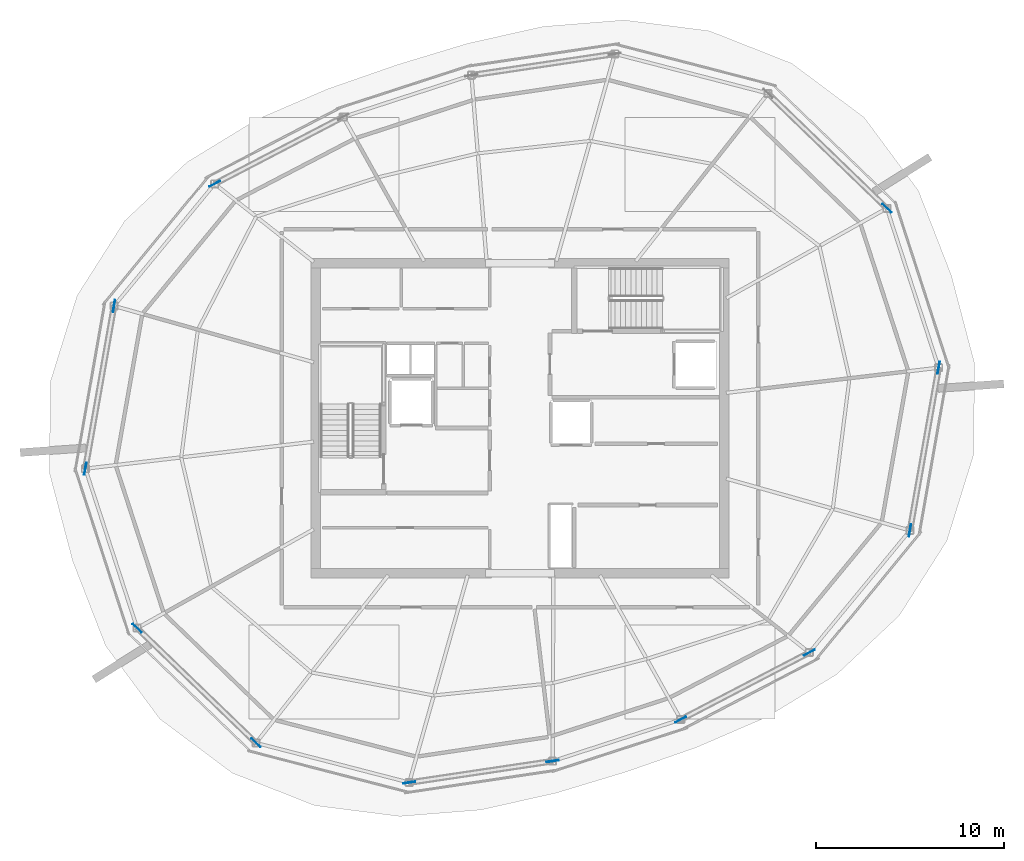
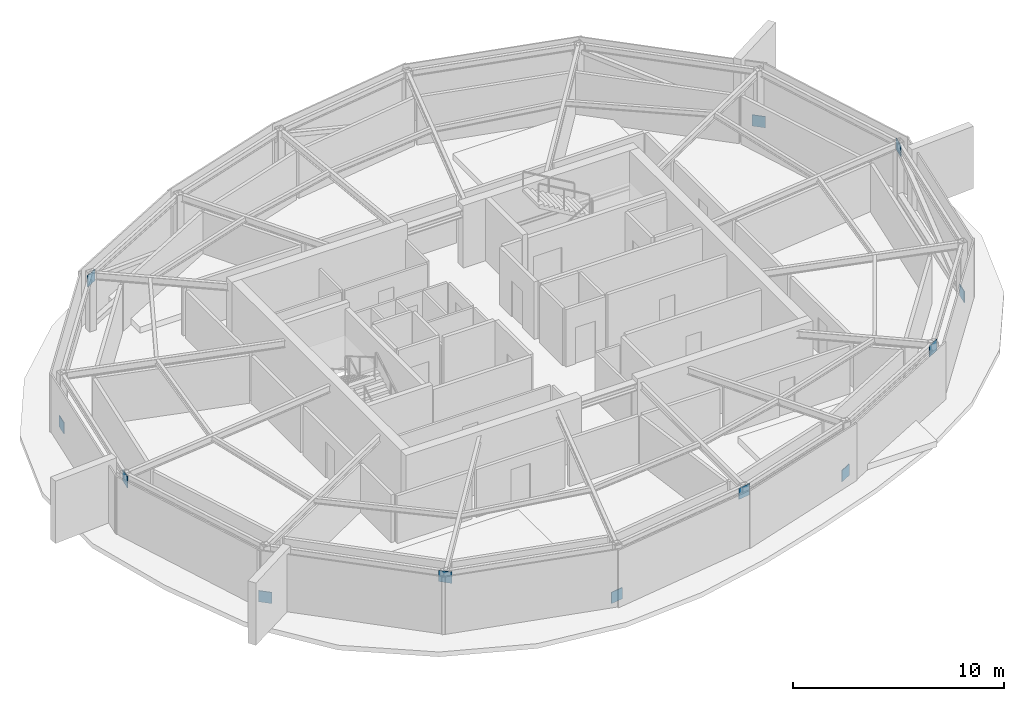
# One storey, part 6 of 10: 12 plates.
"""IFC4 building model written with IfcOpenShell, lengths in metres."""

from ifc_helpers import new_model, si_unit, direction, frame, origin, origin_2d, place, context, subcontext, project, spatial, rectangle, extrude, material, layer, layer_set, type_object, element, save


model = new_model("IFC4")

# Units and contexts
model_context = context("Model", 3, precision=1e-05, world=origin(), true_north=direction((0.0, 1.0)))
body_context = subcontext(model_context, "Body", "Model", "MODEL_VIEW")
ifc_project = project(units=[si_unit("LENGTHUNIT", "METRE"), si_unit("AREAUNIT", "SQUARE_METRE"), si_unit("VOLUMEUNIT", "CUBIC_METRE"), si_unit("PLANEANGLEUNIT", "RADIAN"), si_unit("MASSUNIT", "GRAM", prefix="KILO")], contexts=[model_context])

# Site, building, storey
site_placement = place(None, origin())
site = spatial("IfcSite", under=ifc_project, at=site_placement, CompositionType="ELEMENT")
building_placement = place(site_placement, origin())
building = spatial("IfcBuilding", under=site, at=building_placement, Name="Kazma Halo Residences", CompositionType="ELEMENT")
storey_placement = place(building_placement, frame((0.0, 0.0, 359.60009765625)))
storey = spatial("IfcBuildingStorey", under=building, at=storey_placement, Name="L90", CompositionType="ELEMENT", Elevation=359.60009765625)

# Plates
ifc_material = material(Name="Steel S355", Category="steel")
ifc_layer = layer(ifc_material, 0.0400390625)
ifc_layer_set = layer_set([ifc_layer], Name="Steel S355")
plate_type = type_object("IfcPlateType", Name="PLT-GUSSET-40", PredefinedType="SHEET", material=ifc_layer_set)
for number, where, z_axis, x_axis, name in (
    (1, (67.940673828125, 53.167236328125, -0.045166015625), (0.0, 0.0, 1.0), (-0.719342064482, 0.694656025863, 0.0), "L90 crown brace lower gusset 01"),
    (2, (32.184814453125, 54.467529296875, 2.614990234375), (0.0, 0.0, 1.0), (-0.886949727325, -0.461865977529, 0.0), "L90 crown brace upper gusset 05"),
    (3, (26.830078125, 47.970458984375, -0.045166015625), (0.0, 0.0, 1.0), (-0.173656186938, -0.984806340728, 0.0), "L90 crown brace lower gusset 07"),
    (4, (25.3037109375, 39.313720703125, 2.614990234375), (0.0, 0.0, 1.0), (-0.173656186938, -0.984806340728, 0.0), "L90 crown brace upper gusset 07"),
    (5, (28.059326171875, 30.832763671875, -0.045166015625), (0.0, 0.0, 1.0), (0.719342064482, -0.694656025863, 0.0), "L90 crown brace lower gusset 09"),
    (6, (34.382568359375, 24.726318359375, 2.614990234375), (0.0, 0.0, 1.0), (0.719342064482, -0.694656025863, 0.0), "L90 crown brace upper gusset 09"),
    (7, (42.53369140625, 22.61767578125, -0.045166015625), (0.0, 0.0, 1.0), (0.98903421845, 0.147686542161, 0.0), "L90 crown brace lower gusset 11"),
    (8, (50.1591796875, 23.75634765625, 2.614990234375), (0.0, 0.0, 1.0), (0.98903421845, 0.147686542161, 0.0), "L90 crown brace upper gusset 11"),
    (9, (56.9765625, 25.97119140625, -0.045166015625), (0.0, 0.0, 1.0), (0.886949727325, 0.461865977529, 0.0), "L90 crown brace lower gusset 13"),
    (10, (63.815185546875, 29.532470703125, 2.614990234375), (0.0, 0.0, 1.0), (0.886949727325, 0.461865977529, 0.0), "L90 crown brace upper gusset 13"),
    (11, (69.169921875, 36.029541015625, -0.045166015625), (0.0, 0.0, 1.0), (0.173656186938, 0.984806340728, 0.0), "L90 crown brace lower gusset 15"),
    (12, (70.6962890625, 44.686279296875, 2.614990234375), (0.0, 0.0, 1.0), (0.173656186938, 0.984806340728, 0.0), "L90 crown brace upper gusset 15"),
):
    element("IfcPlate", number, at=place(storey_placement, frame(where, z_axis=z_axis, x_axis=x_axis)), inside=storey, type_object=plate_type, Name=name, PredefinedType="SHEET", context=body_context, shape_type="SweptSolid", body=[
        extrude(rectangle(XDim=0.64990234375, YDim=0.0400390625, at=origin_2d()), origin(), (0.0, 0.0, 1.0), 0.64990234375),
    ])

save(model, "model.ifc")
